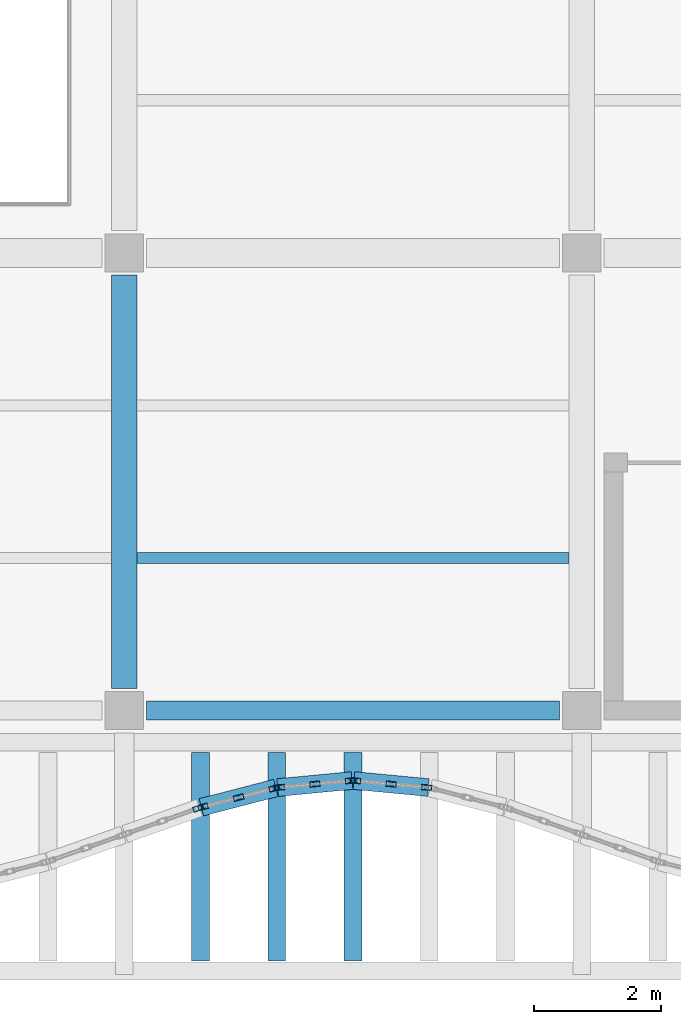
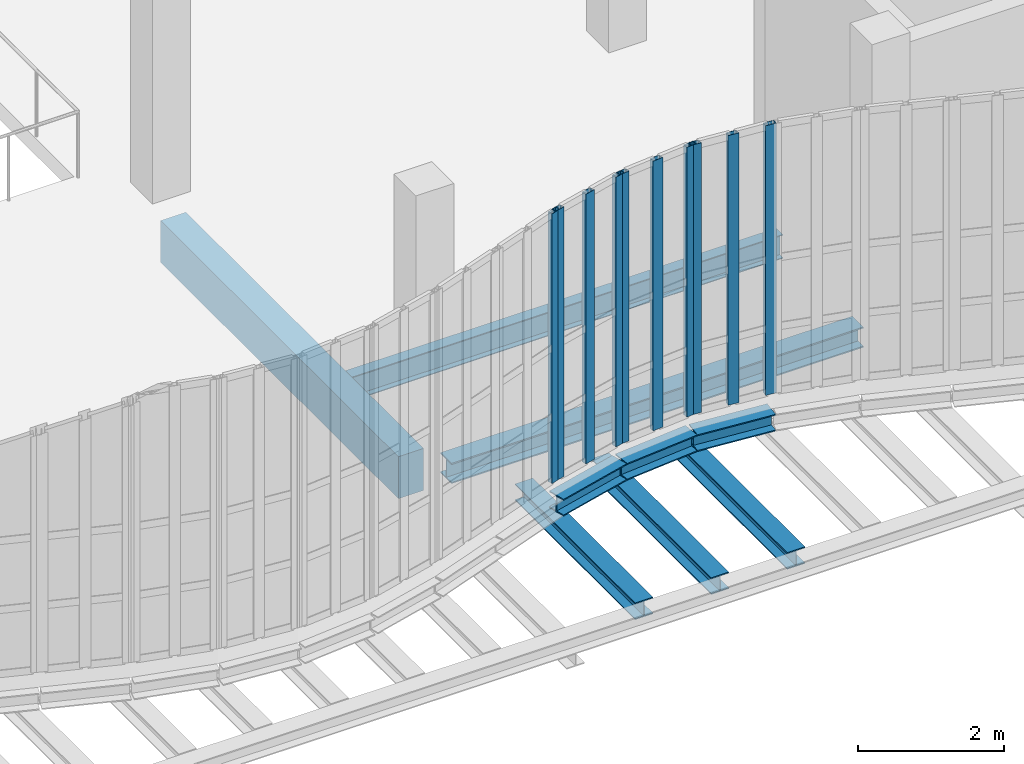
# One storey, part 10 of 105: 10 members, 9 beams, 4 elements without a shape of their own.
"""IFC4 building model written with IfcOpenShell, lengths in metres."""

from ifc_helpers import new_model, si_unit, direction, frame, origin, origin_2d, place, context, subcontext, project, spatial, rectangle, hollow_rectangle, i_section, extrude, material, layer, layer_set, material_profile, profile_set, type_object, element, aggregate, save


model = new_model("IFC4")

# Units and contexts
model_context = context("Model", 3, precision=1e-05, world=origin(), true_north=direction((0.0, 1.0)))
body_context = subcontext(model_context, "Body", "Model", "MODEL_VIEW")
ifc_project = project(units=[si_unit("LENGTHUNIT", "METRE"), si_unit("AREAUNIT", "SQUARE_METRE"), si_unit("VOLUMEUNIT", "CUBIC_METRE"), si_unit("PLANEANGLEUNIT", "RADIAN"), si_unit("MASSUNIT", "GRAM", prefix="KILO"), si_unit("THERMODYNAMICTEMPERATUREUNIT", "KELVIN"), si_unit("POWERUNIT", "WATT")], contexts=[model_context])

# Site, building, storey
site_placement = place(None, origin())
site = spatial("IfcSite", under=ifc_project, at=site_placement, CompositionType="ELEMENT")
building_placement = place(site_placement, origin())
building = spatial("IfcBuilding", under=site, at=building_placement, Name="Kaldorven Railside Theatre", CompositionType="ELEMENT")
storey_placement = place(building_placement, frame((0.0, 0.0, 9.89990234375)))
storey = spatial("IfcBuildingStorey", under=building, at=storey_placement, Name="L02", CompositionType="ELEMENT", Elevation=9.89990234375)

# Beams
ifc_material_1 = material(Name="Steel S355", Category="steel")
ifc_material_profile_1 = material_profile(ifc_material_1, i_section(OverallWidth=0.280029296875, OverallDepth=0.280029296875, WebThickness=0.010498046875, FlangeThickness=0.01806640625, at=origin_2d()), Name="HEB 280")
ifc_profile_set_1 = profile_set([ifc_material_profile_1], Name="Steel S355")
beam_type_1 = type_object("IfcBeamType", Name="BM-HEB280", PredefinedType="SPANDREL", material=ifc_profile_set_1)
beam_1_placement = place(storey_placement, frame((52.41455078125, 17.6787109375, -0.419921875), z_axis=(0.967967836725, 0.251074226206, 0.0), x_axis=(-0.251074226206, 0.967967836725, 0.0)))
element("IfcBeam", 1, at=beam_1_placement, inside=storey, type_object=beam_type_1, Name="L02 Sinusoidal Flute Edge Spandrel FSB-086", PredefinedType="SPANDREL", context=body_context, shape_type="SweptSolid", body=[
    extrude(i_section(OverallWidth=0.280029296875, OverallDepth=0.280029296875, WebThickness=0.010498046875, FlangeThickness=0.01806640625, at=origin_2d()), origin(), (0.0, 0.0, 1.0), 1.209716796875),
])
beam_2_placement = place(storey_placement, frame((52.39990234375, 15.260009765625, -0.699951171875), z_axis=(0.0, 1.0, 0.0), x_axis=(-1.0, 0.0, 0.0)))
element("IfcBeam", 2, at=beam_2_placement, inside=storey, type_object=beam_type_1, Name="L02 Sinusoidal Diaphragm Rib Outrigger FOB-M086", PredefinedType="SPANDREL", context=body_context, shape_type="SweptSolid", body=[
    extrude(i_section(OverallWidth=0.280029296875, OverallDepth=0.280029296875, WebThickness=0.010498046875, FlangeThickness=0.01806640625, at=origin_2d()), origin(), (0.0, 0.0, 1.0), 3.280029296875),
])
beam_3_placement = place(storey_placement, frame((53.614990234375, 17.987548828125, -0.419921875), z_axis=(0.99552436473, 0.094505233873, 0.0), x_axis=(-0.094505233873, 0.99552436473, 0.0)))
element("IfcBeam", 3, at=beam_3_placement, inside=storey, type_object=beam_type_1, Name="L02 Sinusoidal Flute Edge Spandrel FSB-087", PredefinedType="SPANDREL", context=body_context, shape_type="SweptSolid", body=[
    extrude(i_section(OverallWidth=0.280029296875, OverallDepth=0.280029296875, WebThickness=0.010498046875, FlangeThickness=0.01806640625, at=origin_2d()), origin(), (0.0, 0.0, 1.0), 1.175537109375),
])
beam_4_placement = place(storey_placement, frame((53.60009765625, 15.260009765625, -0.699951171875), z_axis=(0.0, 1.0, 0.0), x_axis=(-1.0, 0.0, 0.0)))
element("IfcBeam", 4, at=beam_4_placement, inside=storey, type_object=beam_type_1, Name="L02 Sinusoidal Diaphragm Rib Outrigger FOB-M087", PredefinedType="SPANDREL", context=body_context, shape_type="SweptSolid", body=[
    extrude(i_section(OverallWidth=0.280029296875, OverallDepth=0.280029296875, WebThickness=0.010498046875, FlangeThickness=0.01806640625, at=origin_2d()), origin(), (0.0, 0.0, 1.0), 3.280029296875),
])
beam_5_placement = place(storey_placement, frame((54.81494140625, 18.0986328125, -0.419921875), z_axis=(0.99552436473, -0.094505233873, 0.0), x_axis=(0.094505233873, 0.99552436473, 0.0)))
element("IfcBeam", 5, at=beam_5_placement, inside=storey, type_object=beam_type_1, Name="L02 Sinusoidal Flute Edge Spandrel FSB-088", PredefinedType="SPANDREL", context=body_context, shape_type="SweptSolid", body=[
    extrude(i_section(OverallWidth=0.280029296875, OverallDepth=0.280029296875, WebThickness=0.010498046875, FlangeThickness=0.01806640625, at=origin_2d()), origin(), (0.0, 0.0, 1.0), 1.175537109375),
])
beam_6_placement = place(storey_placement, frame((54.800048828125, 15.260009765625, -0.699951171875), z_axis=(0.0, 1.0, 0.0), x_axis=(-1.0, 0.0, 0.0)))
element("IfcBeam", 6, at=beam_6_placement, inside=storey, type_object=beam_type_1, Name="L02 Sinusoidal Diaphragm Rib Outrigger FOB-M088", PredefinedType="SPANDREL", context=body_context, shape_type="SweptSolid", body=[
    extrude(i_section(OverallWidth=0.280029296875, OverallDepth=0.280029296875, WebThickness=0.010498046875, FlangeThickness=0.01806640625, at=origin_2d()), origin(), (0.0, 0.0, 1.0), 3.280029296875),
])
ifc_material_profile_2 = material_profile(ifc_material_1, i_section(OverallWidth=0.300048828125, OverallDepth=0.340087890625, WebThickness=0.011962890625, FlangeThickness=0.021484375, at=origin_2d()), Name="HEB 340")
ifc_profile_set_2 = profile_set([ifc_material_profile_2], Name="Steel S355")
beam_type_2 = type_object("IfcBeamType", Name="BM-HEB340", PredefinedType="SPANDREL", material=ifc_profile_set_2)
beam_7_placement = place(storey_placement, frame((51.550048828125, 19.199951171875, -0.449951171875), z_axis=(1.0, 0.0, 0.0), x_axis=(0.0, 1.0, 0.0)))
element("IfcBeam", 7, at=beam_7_placement, inside=storey, type_object=beam_type_2, Name="L02 Girder BGX-L02-051-019", PredefinedType="SPANDREL", context=body_context, shape_type="SweptSolid", body=[
    extrude(i_section(OverallWidth=0.300048828125, OverallDepth=0.340087890625, WebThickness=0.011962890625, FlangeThickness=0.021484375, at=origin_2d()), origin(), (0.0, 0.0, 1.0), 6.5),
])
ifc_material_profile_3 = material_profile(ifc_material_1, i_section(OverallWidth=0.179931640625, OverallDepth=0.39990234375, WebThickness=0.008544921875, FlangeThickness=0.013427734375, at=origin_2d()), Name="IPE 400")
ifc_profile_set_3 = profile_set([ifc_material_profile_3], Name="Steel S355")
beam_type_3 = type_object("IfcBeamType", Name="BM-IPE400", PredefinedType="JOIST", material=ifc_profile_set_3)
beam_8_placement = place(storey_placement, frame((51.39990234375, 21.60009765625, -0.47998046875), z_axis=(1.0, 0.0, 0.0), x_axis=(0.0, 1.0, 0.0)))
element("IfcBeam", 8, at=beam_8_placement, inside=storey, type_object=beam_type_3, Name="L02 Secondary Floor Joist JG-L02-051-0216", PredefinedType="JOIST", context=body_context, shape_type="SweptSolid", body=[
    extrude(i_section(OverallWidth=0.179931640625, OverallDepth=0.39990234375, WebThickness=0.008544921875, FlangeThickness=0.013427734375, at=origin_2d()), origin(), (0.0, 0.0, 1.0), 6.800048828125),
])
ifc_material_2 = material(Name="Concrete C40/50", Category="concrete")
ifc_material_profile_4 = material_profile(ifc_material_2, rectangle(XDim=0.39990234375, YDim=0.699951171875, at=origin_2d()), Name="RC 400x700")
ifc_profile_set_4 = profile_set([ifc_material_profile_4], Name="Concrete C40/50")
beam_type_4 = type_object("IfcBeamType", Name="BM-RC400x700", PredefinedType="BEAM", material=ifc_profile_set_4)
beam_9_placement = place(storey_placement, frame((51.199951171875, 19.550048828125, -0.6298828125), z_axis=(0.0, 1.0, 0.0), x_axis=(-1.0, 0.0, 0.0)))
element("IfcBeam", 9, at=beam_9_placement, inside=storey, type_object=beam_type_4, Name="L02 Girder BGY-L02-051-019-72", PredefinedType="BEAM", context=body_context, shape_type="SweptSolid", body=[
    extrude(rectangle(XDim=0.39990234375, YDim=0.699951171875, at=origin_2d()), origin(), (0.0, 0.0, 1.0), 6.5),
])

# Curtain wall, member
ifc_material_3 = material(Name="Low-E laminated solar-control glass", Category="glass")
ifc_layer_1 = layer(ifc_material_3, 0.159912109375, Name="Low-E laminated solar-control glass")
ifc_layer_set_1 = layer_set([ifc_layer_1], Name="Low-E laminated solar-control glass")
curtain_wall_type_1 = type_object("IfcCurtainWallType", Name="CWT-01", PredefinedType="USERDEFINED", material=ifc_layer_set_1)
curtain_wall_1_placement = place(storey_placement, origin())
curtain_wall_1 = element("IfcCurtainWall", 10, at=curtain_wall_1_placement, inside=storey, type_object=curtain_wall_type_1, Name="Sinusoidal Fluted Curtain Wall CW-L02-S13", ObjectType="FLUTED GLAZING", PredefinedType="USERDEFINED")
ifc_material_4 = material(Name="Anodised bronze aluminium", Category="aluminium")
ifc_material_profile_5 = material_profile(ifc_material_4, hollow_rectangle(XDim=0.080078125, YDim=0.159912109375, WallThickness=0.00634765625, at=origin_2d()), Name="RHS 160x80x6.3")
ifc_profile_set_5 = profile_set([ifc_material_profile_5], Name="Anodised bronze aluminium")
member_type = type_object("IfcMemberType", Name="CWM-160", PredefinedType="MULLION", material=ifc_profile_set_5)
member_1_placement = place(storey_placement, frame((52.3623046875, 17.66162109375, 0.0), z_axis=(0.0, 0.0, 1.0), x_axis=(-0.33384714225, 0.942627225159, 0.0)))
member_1 = element("IfcMember", 11, at=member_1_placement, type_object=member_type, Name="CW-L02-S13 mullion 3", PredefinedType="MULLION", context=body_context, shape_type="SweptSolid", body=[
    extrude(hollow_rectangle(XDim=0.080078125, YDim=0.159912109375, WallThickness=0.00634765625, at=origin_2d()), origin(), (0.0, 0.0, 1.0), 4.5),
])
aggregate(curtain_wall_1, [member_1])

# Curtain wall, members
ifc_layer_2 = layer(ifc_material_3, 0.159912109375, Name="Low-E laminated solar-control glass")
ifc_layer_set_2 = layer_set([ifc_layer_2], Name="Low-E laminated solar-control glass")
curtain_wall_type_2 = type_object("IfcCurtainWallType", Name="CWT-02", PredefinedType="USERDEFINED", material=ifc_layer_set_2)
curtain_wall_2_placement = place(storey_placement, origin())
curtain_wall_2 = element("IfcCurtainWall", 12, at=curtain_wall_2_placement, inside=storey, type_object=curtain_wall_type_2, Name="Sinusoidal Fluted Curtain Wall CW-L02-S14", ObjectType="FLUTED GLAZING", PredefinedType="USERDEFINED")
member_2_placement = place(storey_placement, frame((52.438720703125, 17.68505859375, 0.0), z_axis=(0.0, 0.0, 1.0), x_axis=(-0.250953760326, 0.967999075505, 0.0)))
member_2 = element("IfcMember", 13, at=member_2_placement, type_object=member_type, Name="CW-L02-S14 mullion 1", PredefinedType="MULLION", context=body_context, shape_type="SweptSolid", body=[
    extrude(hollow_rectangle(XDim=0.080078125, YDim=0.159912109375, WallThickness=0.00634765625, at=origin_2d()), origin(), (0.0, 0.0, 1.0), 4.5),
])
member_3_placement = place(storey_placement, frame((53.0, 17.83056640625, 0.0), z_axis=(0.0, 0.0, 1.0), x_axis=(-0.250953760326, 0.967999075505, 0.0)))
member_3 = element("IfcMember", 14, at=member_3_placement, type_object=member_type, Name="CW-L02-S14 mullion 2", PredefinedType="MULLION", context=body_context, shape_type="SweptSolid", body=[
    extrude(hollow_rectangle(XDim=0.080078125, YDim=0.159912109375, WallThickness=0.00634765625, at=origin_2d()), origin(), (0.0, 0.0, 1.0), 4.5),
])
member_4_placement = place(storey_placement, frame((53.561279296875, 17.97607421875, 0.0), z_axis=(0.0, 0.0, 1.0), x_axis=(-0.250953760326, 0.967999075505, 0.0)))
member_4 = element("IfcMember", 15, at=member_4_placement, type_object=member_type, Name="CW-L02-S14 mullion 3", PredefinedType="MULLION", context=body_context, shape_type="SweptSolid", body=[
    extrude(hollow_rectangle(XDim=0.080078125, YDim=0.159912109375, WallThickness=0.00634765625, at=origin_2d()), origin(), (0.0, 0.0, 1.0), 4.5),
])
aggregate(curtain_wall_2, [member_2, member_3, member_4])

ifc_layer_3 = layer(ifc_material_3, 0.159912109375, Name="Low-E laminated solar-control glass")
ifc_layer_set_3 = layer_set([ifc_layer_3], Name="Low-E laminated solar-control glass")
curtain_wall_type_3 = type_object("IfcCurtainWallType", Name="CWT-03", PredefinedType="USERDEFINED", material=ifc_layer_set_3)
curtain_wall_3_placement = place(storey_placement, origin())
curtain_wall_3 = element("IfcCurtainWall", 16, at=curtain_wall_3_placement, inside=storey, type_object=curtain_wall_type_3, Name="Sinusoidal Fluted Curtain Wall CW-L02-S15", ObjectType="FLUTED GLAZING", PredefinedType="USERDEFINED")
member_5_placement = place(storey_placement, frame((53.639892578125, 17.989990234375, 0.0), z_axis=(0.0, 0.0, 1.0), x_axis=(-0.094491973758, 0.995525623425, 0.0)))
member_5 = element("IfcMember", 17, at=member_5_placement, type_object=member_type, Name="CW-L02-S15 mullion 1", PredefinedType="MULLION", context=body_context, shape_type="SweptSolid", body=[
    extrude(hollow_rectangle(XDim=0.080078125, YDim=0.159912109375, WallThickness=0.00634765625, at=origin_2d()), origin(), (0.0, 0.0, 1.0), 4.5),
])
member_6_placement = place(storey_placement, frame((54.199951171875, 18.04296875, 0.0), z_axis=(0.0, 0.0, 1.0), x_axis=(-0.094491973758, 0.995525623425, 0.0)))
member_6 = element("IfcMember", 18, at=member_6_placement, type_object=member_type, Name="CW-L02-S15 mullion 2", PredefinedType="MULLION", context=body_context, shape_type="SweptSolid", body=[
    extrude(hollow_rectangle(XDim=0.080078125, YDim=0.159912109375, WallThickness=0.00634765625, at=origin_2d()), origin(), (0.0, 0.0, 1.0), 4.5),
])
member_7_placement = place(storey_placement, frame((54.76025390625, 18.09619140625, 0.0), z_axis=(0.0, 0.0, 1.0), x_axis=(-0.094491973758, 0.995525623425, 0.0)))
member_7 = element("IfcMember", 19, at=member_7_placement, type_object=member_type, Name="CW-L02-S15 mullion 3", PredefinedType="MULLION", context=body_context, shape_type="SweptSolid", body=[
    extrude(hollow_rectangle(XDim=0.080078125, YDim=0.159912109375, WallThickness=0.00634765625, at=origin_2d()), origin(), (0.0, 0.0, 1.0), 4.5),
])
aggregate(curtain_wall_3, [member_5, member_6, member_7])

curtain_wall_4_placement = place(storey_placement, origin())
curtain_wall_4 = element("IfcCurtainWall", 20, at=curtain_wall_4_placement, inside=storey, type_object=curtain_wall_type_3, Name="Sinusoidal Fluted Curtain Wall CW-L02-S16", ObjectType="FLUTED GLAZING", PredefinedType="USERDEFINED")
member_8_placement = place(storey_placement, frame((54.83984375, 18.09619140625, 0.0), z_axis=(0.0, 0.0, 1.0), x_axis=(0.094491973758, 0.995525623425, 0.0)))
member_8 = element("IfcMember", 21, at=member_8_placement, type_object=member_type, Name="CW-L02-S16 mullion 1", PredefinedType="MULLION", context=body_context, shape_type="SweptSolid", body=[
    extrude(hollow_rectangle(XDim=0.080078125, YDim=0.159912109375, WallThickness=0.00634765625, at=origin_2d()), origin(), (0.0, 0.0, 1.0), 4.5),
])
member_9_placement = place(storey_placement, frame((55.39990234375, 18.04296875, 0.0), z_axis=(0.0, 0.0, 1.0), x_axis=(0.094491973758, 0.995525623425, 0.0)))
member_9 = element("IfcMember", 22, at=member_9_placement, type_object=member_type, Name="CW-L02-S16 mullion 2", PredefinedType="MULLION", context=body_context, shape_type="SweptSolid", body=[
    extrude(hollow_rectangle(XDim=0.080078125, YDim=0.159912109375, WallThickness=0.00634765625, at=origin_2d()), origin(), (0.0, 0.0, 1.0), 4.5),
])
member_10_placement = place(storey_placement, frame((55.960205078125, 17.989990234375, 0.0), z_axis=(0.0, 0.0, 1.0), x_axis=(0.094491973758, 0.995525623425, 0.0)))
member_10 = element("IfcMember", 23, at=member_10_placement, type_object=member_type, Name="CW-L02-S16 mullion 3", PredefinedType="MULLION", context=body_context, shape_type="SweptSolid", body=[
    extrude(hollow_rectangle(XDim=0.080078125, YDim=0.159912109375, WallThickness=0.00634765625, at=origin_2d()), origin(), (0.0, 0.0, 1.0), 4.5),
])
aggregate(curtain_wall_4, [member_8, member_9, member_10])

save(model, "model.ifc")
